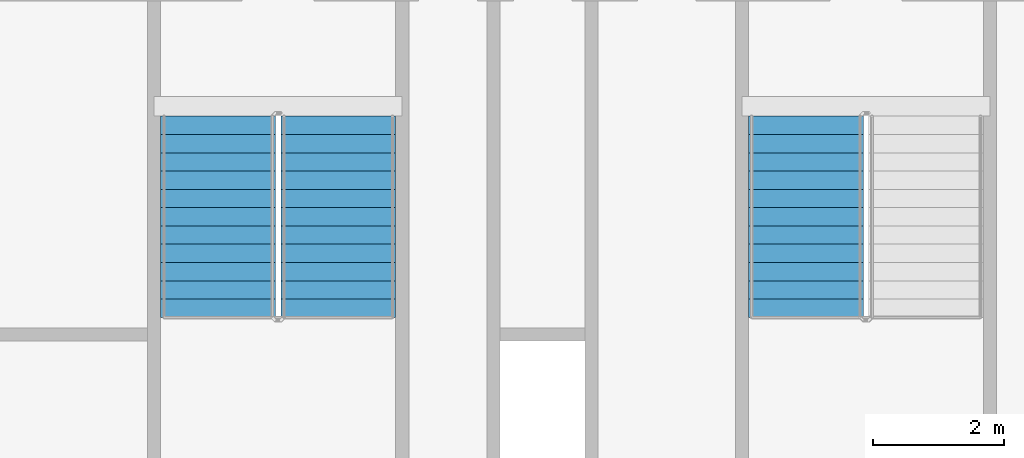
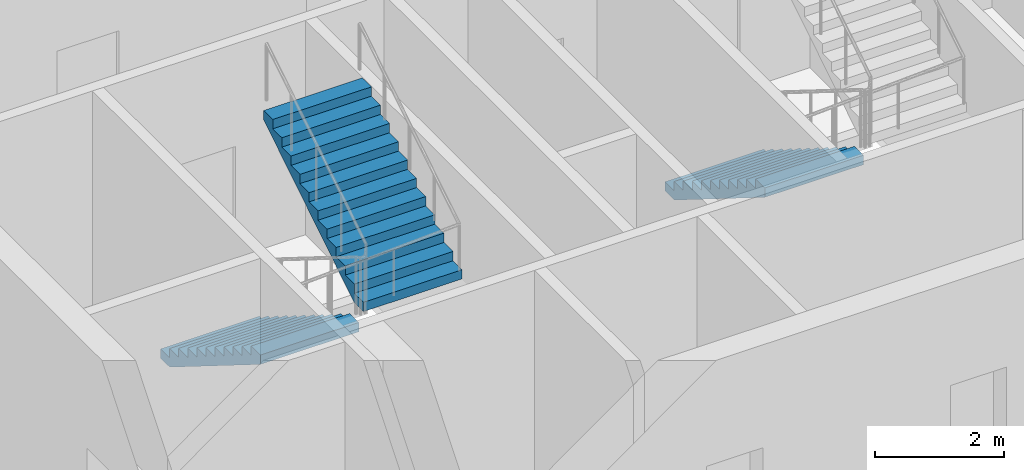
# One storey, part 21 of 28: 3 stair flights, 2 elements without a shape of their own.
"""IFC4 building model written with IfcOpenShell, lengths in metres."""

from ifc_helpers import new_model, si_unit, direction, frame, origin, place, context, subcontext, project, spatial, faceted_brep, material, type_object, element, aggregate, save


model = new_model("IFC4")

# Units and contexts
model_context = context("Model", 3, precision=1e-05, world=origin(), true_north=direction((0.0, 1.0)))
body_context = subcontext(model_context, "Body", "Model", "MODEL_VIEW")
ifc_project = project(units=[si_unit("LENGTHUNIT", "METRE"), si_unit("AREAUNIT", "SQUARE_METRE"), si_unit("VOLUMEUNIT", "CUBIC_METRE"), si_unit("PLANEANGLEUNIT", "RADIAN"), si_unit("MASSUNIT", "GRAM", prefix="KILO")], contexts=[model_context])

# Site, building, storey
site_placement = place(None, origin())
site = spatial("IfcSite", under=ifc_project, at=site_placement, CompositionType="ELEMENT")
building_placement = place(site_placement, origin())
building = spatial("IfcBuilding", under=site, at=building_placement, Name="Tarsis Ring Headquarters", CompositionType="ELEMENT")
storey_placement = place(building_placement, frame((0.0, 0.0, 365.0)))
storey = spatial("IfcBuildingStorey", under=building, at=storey_placement, Name="L86", CompositionType="ELEMENT", Elevation=365.0)

# Stair, stair flights
ifc_material_1 = material(Name="Core stair 1760")
stair_type = type_object("IfcStairType", Name="Core stair 1760", PredefinedType="HALF_TURN_STAIR", material=ifc_material_1)
stair_1_placement = place(storey_placement, origin())
stair_1 = element("IfcStair", 1, at=stair_1_placement, inside=storey, type_object=stair_type, Name="L86 Exit stair C", PredefinedType="HALF_TURN_STAIR")
ifc_material_2 = material(Name="Concrete C40/50", Category="concrete")
stair_flight_type = type_object("IfcStairFlightType", Name="Core stair flight 1760", PredefinedType="STRAIGHT", material=ifc_material_2)
stair_flight_1_placement = place(storey_placement, frame((-5.419921875, -3.659912109375, 0.0), z_axis=(0.0, 0.0, 1.0), x_axis=(0.0, -1.0, 0.0)))
stair_flight_1 = element("IfcStairFlight", 2, at=stair_flight_1_placement, type_object=stair_flight_type, Name="Stair ST3 flight 1", NumberOfRisers=12, NumberOfTreads=11, PredefinedType="STRAIGHT", RiserHeight=0.175, TreadLength=0.28, context=body_context, shape_type="Brep", body=[
    faceted_brep([(0.0, 0.8798828125, 0.0), (0.0, 0.8798828125, 0.175048828125), (0.280029296875, 0.8798828125, 0.175048828125), (0.280029296875, 0.8798828125, 0.35009765625), (0.56005859375, 0.8798828125, 0.35009765625), (0.56005859375, 0.8798828125, 0.52490234375), (0.840087890625, 0.8798828125, 0.52490234375), (0.840087890625, 0.8798828125, 0.699951171875), (1.1201171875, 0.8798828125, 0.699951171875), (1.1201171875, 0.8798828125, 0.875), (1.39990234375, 0.8798828125, 0.875), (1.39990234375, 0.8798828125, 1.050048828125), (1.679931640625, 0.8798828125, 1.050048828125), (1.679931640625, 0.8798828125, 1.22509765625), (1.9599609375, 0.8798828125, 1.22509765625), (1.9599609375, 0.8798828125, 1.39990234375), (2.239990234375, 0.8798828125, 1.39990234375), (2.239990234375, 0.8798828125, 1.574951171875), (2.52001953125, 0.8798828125, 1.574951171875), (2.52001953125, 0.8798828125, 1.75), (2.800048828125, 0.8798828125, 1.75), (2.800048828125, 0.8798828125, 1.925048828125), (3.080078125, 0.8798828125, 1.925048828125), (3.080078125, 0.8798828125, 1.748291015625), (0.28271484375, 0.8798828125, 0.0), (0.28271484375, -0.8798828125, 0.0), (3.080078125, -0.8798828125, 1.748291015625), (3.080078125, -0.8798828125, 1.925048828125), (2.800048828125, -0.8798828125, 1.925048828125), (2.800048828125, -0.8798828125, 1.75), (2.52001953125, -0.8798828125, 1.75), (2.52001953125, -0.8798828125, 1.574951171875), (2.239990234375, -0.8798828125, 1.574951171875), (2.239990234375, -0.8798828125, 1.39990234375), (1.9599609375, -0.8798828125, 1.39990234375), (1.9599609375, -0.8798828125, 1.22509765625), (1.679931640625, -0.8798828125, 1.22509765625), (1.679931640625, -0.8798828125, 1.050048828125), (1.39990234375, -0.8798828125, 1.050048828125), (1.39990234375, -0.8798828125, 0.875), (1.1201171875, -0.8798828125, 0.875), (1.1201171875, -0.8798828125, 0.699951171875), (0.840087890625, -0.8798828125, 0.699951171875), (0.840087890625, -0.8798828125, 0.52490234375), (0.56005859375, -0.8798828125, 0.52490234375), (0.56005859375, -0.8798828125, 0.35009765625), (0.280029296875, -0.8798828125, 0.35009765625), (0.280029296875, -0.8798828125, 0.175048828125), (0.0, -0.8798828125, 0.175048828125), (0.0, -0.8798828125, 0.0), (0.0, -0.43994140625, 0.175048828125), (0.0, -0.43994140625, 0.0), (0.0, 0.0, 0.175048828125), (0.0, 0.0, 0.0), (0.0, 0.43994140625, 0.175048828125), (0.0, 0.43994140625, 0.0), (0.280029296875, -0.43994140625, 0.175048828125), (0.280029296875, 0.0, 0.175048828125), (0.280029296875, 0.43994140625, 0.175048828125), (0.280029296875, -0.43994140625, 0.35009765625), (0.280029296875, 0.0, 0.35009765625), (0.280029296875, 0.43994140625, 0.35009765625), (0.56005859375, -0.43994140625, 0.35009765625), (0.56005859375, 0.0, 0.35009765625), (0.56005859375, 0.43994140625, 0.35009765625), (0.56005859375, -0.43994140625, 0.52490234375), (0.56005859375, 0.0, 0.52490234375), (0.56005859375, 0.43994140625, 0.52490234375), (0.840087890625, -0.43994140625, 0.52490234375), (0.840087890625, 0.0, 0.52490234375), (0.840087890625, 0.43994140625, 0.52490234375), (0.840087890625, -0.43994140625, 0.699951171875), (0.840087890625, 0.0, 0.699951171875), (0.840087890625, 0.43994140625, 0.699951171875), (1.1201171875, -0.43994140625, 0.699951171875), (1.1201171875, 0.0, 0.699951171875), (1.1201171875, 0.43994140625, 0.699951171875), (1.1201171875, -0.43994140625, 0.875), (1.1201171875, 0.0, 0.875), (1.1201171875, 0.43994140625, 0.875), (1.39990234375, -0.43994140625, 0.875), (1.39990234375, 0.0, 0.875), (1.39990234375, 0.43994140625, 0.875), (1.39990234375, -0.43994140625, 1.050048828125), (1.39990234375, 0.0, 1.050048828125), (1.39990234375, 0.43994140625, 1.050048828125), (1.679931640625, -0.43994140625, 1.050048828125), (1.679931640625, 0.0, 1.050048828125), (1.679931640625, 0.43994140625, 1.050048828125), (1.679931640625, -0.43994140625, 1.22509765625), (1.679931640625, 0.0, 1.22509765625), (1.679931640625, 0.43994140625, 1.22509765625), (1.9599609375, -0.43994140625, 1.22509765625), (1.9599609375, 0.0, 1.22509765625), (1.9599609375, 0.43994140625, 1.22509765625), (1.9599609375, -0.43994140625, 1.39990234375), (1.9599609375, 0.0, 1.39990234375), (1.9599609375, 0.43994140625, 1.39990234375), (2.239990234375, -0.43994140625, 1.39990234375), (2.239990234375, 0.0, 1.39990234375), (2.239990234375, 0.43994140625, 1.39990234375), (2.239990234375, -0.43994140625, 1.574951171875), (2.239990234375, 0.0, 1.574951171875), (2.239990234375, 0.43994140625, 1.574951171875), (2.52001953125, -0.43994140625, 1.574951171875), (2.52001953125, 0.0, 1.574951171875), (2.52001953125, 0.43994140625, 1.574951171875), (2.52001953125, -0.43994140625, 1.75), (2.52001953125, 0.0, 1.75), (2.52001953125, 0.43994140625, 1.75), (2.800048828125, -0.43994140625, 1.75), (2.800048828125, 0.0, 1.75), (2.800048828125, 0.43994140625, 1.75), (2.800048828125, -0.43994140625, 1.925048828125), (2.800048828125, 0.0, 1.925048828125), (2.800048828125, 0.43994140625, 1.925048828125), (3.080078125, -0.43994140625, 1.925048828125), (3.080078125, 0.0, 1.925048828125), (3.080078125, 0.43994140625, 1.925048828125), (3.080078125, -0.43994140625, 1.748291015625), (3.080078125, 0.0, 1.748291015625), (3.080078125, 0.43994140625, 1.748291015625), (0.28271484375, -0.43994140625, 0.0), (0.28271484375, 0.0, 0.0), (0.28271484375, 0.43994140625, 0.0)], [[[0, 1, 2, 3, 4, 5, 6, 7, 8, 9, 10, 11, 12, 13, 14, 15, 16, 17, 18, 19, 20, 21, 22, 23, 24]], [[25, 26, 27, 28, 29, 30, 31, 32, 33, 34, 35, 36, 37, 38, 39, 40, 41, 42, 43, 44, 45, 46, 47, 48, 49]], [[49, 48, 50, 51]], [[51, 50, 52, 53]], [[53, 52, 54, 55]], [[55, 54, 1, 0]], [[48, 47, 56, 50]], [[50, 56, 57, 52]], [[52, 57, 58, 54]], [[54, 58, 2, 1]], [[47, 46, 59, 56]], [[56, 59, 60, 57]], [[57, 60, 61, 58]], [[58, 61, 3, 2]], [[46, 45, 62, 59]], [[59, 62, 63, 60]], [[60, 63, 64, 61]], [[61, 64, 4, 3]], [[45, 44, 65, 62]], [[62, 65, 66, 63]], [[63, 66, 67, 64]], [[64, 67, 5, 4]], [[44, 43, 68, 65]], [[65, 68, 69, 66]], [[66, 69, 70, 67]], [[67, 70, 6, 5]], [[43, 42, 71, 68]], [[68, 71, 72, 69]], [[69, 72, 73, 70]], [[70, 73, 7, 6]], [[42, 41, 74, 71]], [[71, 74, 75, 72]], [[72, 75, 76, 73]], [[73, 76, 8, 7]], [[41, 40, 77, 74]], [[74, 77, 78, 75]], [[75, 78, 79, 76]], [[76, 79, 9, 8]], [[40, 39, 80, 77]], [[77, 80, 81, 78]], [[78, 81, 82, 79]], [[79, 82, 10, 9]], [[39, 38, 83, 80]], [[80, 83, 84, 81]], [[81, 84, 85, 82]], [[82, 85, 11, 10]], [[38, 37, 86, 83]], [[83, 86, 87, 84]], [[84, 87, 88, 85]], [[85, 88, 12, 11]], [[37, 36, 89, 86]], [[86, 89, 90, 87]], [[87, 90, 91, 88]], [[88, 91, 13, 12]], [[36, 35, 92, 89]], [[89, 92, 93, 90]], [[90, 93, 94, 91]], [[91, 94, 14, 13]], [[35, 34, 95, 92]], [[92, 95, 96, 93]], [[93, 96, 97, 94]], [[94, 97, 15, 14]], [[34, 33, 98, 95]], [[95, 98, 99, 96]], [[96, 99, 100, 97]], [[97, 100, 16, 15]], [[33, 32, 101, 98]], [[98, 101, 102, 99]], [[99, 102, 103, 100]], [[100, 103, 17, 16]], [[32, 31, 104, 101]], [[101, 104, 105, 102]], [[102, 105, 106, 103]], [[103, 106, 18, 17]], [[31, 30, 107, 104]], [[104, 107, 108, 105]], [[105, 108, 109, 106]], [[106, 109, 19, 18]], [[30, 29, 110, 107]], [[107, 110, 111, 108]], [[108, 111, 112, 109]], [[109, 112, 20, 19]], [[29, 28, 113, 110]], [[110, 113, 114, 111]], [[111, 114, 115, 112]], [[112, 115, 21, 20]], [[28, 27, 116, 113]], [[113, 116, 117, 114]], [[114, 117, 118, 115]], [[115, 118, 22, 21]], [[27, 26, 119, 116]], [[116, 119, 120, 117]], [[117, 120, 121, 118]], [[118, 121, 23, 22]], [[26, 25, 122, 119]], [[119, 122, 123, 120]], [[120, 123, 124, 121]], [[121, 124, 24, 23]], [[25, 49, 51, 122]], [[122, 51, 53, 123]], [[123, 53, 55, 124]], [[124, 55, 0, 24]]]),
])
stair_flight_2_placement = place(storey_placement, frame((-3.580078125, -6.739990234375, 2.10009765625), z_axis=(0.0, 0.0, 1.0), x_axis=(0.0, 1.0, 0.0)))
stair_flight_2 = element("IfcStairFlight", 3, at=stair_flight_2_placement, type_object=stair_flight_type, Name="Stair ST3 flight 2", NumberOfRisers=12, NumberOfTreads=11, PredefinedType="STRAIGHT", RiserHeight=0.175, TreadLength=0.28, context=body_context, shape_type="Brep", body=[
    faceted_brep([(0.0, 0.8798828125, 0.0), (0.0, 0.8798828125, 0.175048828125), (0.280029296875, 0.8798828125, 0.175048828125), (0.280029296875, 0.8798828125, 0.35009765625), (0.56005859375, 0.8798828125, 0.35009765625), (0.56005859375, 0.8798828125, 0.52490234375), (0.840087890625, 0.8798828125, 0.52490234375), (0.840087890625, 0.8798828125, 0.699951171875), (1.1201171875, 0.8798828125, 0.699951171875), (1.1201171875, 0.8798828125, 0.875), (1.39990234375, 0.8798828125, 0.875), (1.39990234375, 0.8798828125, 1.050048828125), (1.679931640625, 0.8798828125, 1.050048828125), (1.679931640625, 0.8798828125, 1.22509765625), (1.9599609375, 0.8798828125, 1.22509765625), (1.9599609375, 0.8798828125, 1.39990234375), (2.239990234375, 0.8798828125, 1.39990234375), (2.239990234375, 0.8798828125, 1.574951171875), (2.52001953125, 0.8798828125, 1.574951171875), (2.52001953125, 0.8798828125, 1.75), (2.800048828125, 0.8798828125, 1.75), (2.800048828125, 0.8798828125, 1.925048828125), (3.080078125, 0.8798828125, 1.925048828125), (3.080078125, 0.8798828125, 1.748291015625), (0.28271484375, 0.8798828125, 0.0), (0.28271484375, -0.8798828125, 0.0), (3.080078125, -0.8798828125, 1.748291015625), (3.080078125, -0.8798828125, 1.925048828125), (2.800048828125, -0.8798828125, 1.925048828125), (2.800048828125, -0.8798828125, 1.75), (2.52001953125, -0.8798828125, 1.75), (2.52001953125, -0.8798828125, 1.574951171875), (2.239990234375, -0.8798828125, 1.574951171875), (2.239990234375, -0.8798828125, 1.39990234375), (1.9599609375, -0.8798828125, 1.39990234375), (1.9599609375, -0.8798828125, 1.22509765625), (1.679931640625, -0.8798828125, 1.22509765625), (1.679931640625, -0.8798828125, 1.050048828125), (1.39990234375, -0.8798828125, 1.050048828125), (1.39990234375, -0.8798828125, 0.875), (1.1201171875, -0.8798828125, 0.875), (1.1201171875, -0.8798828125, 0.699951171875), (0.840087890625, -0.8798828125, 0.699951171875), (0.840087890625, -0.8798828125, 0.52490234375), (0.56005859375, -0.8798828125, 0.52490234375), (0.56005859375, -0.8798828125, 0.35009765625), (0.280029296875, -0.8798828125, 0.35009765625), (0.280029296875, -0.8798828125, 0.175048828125), (0.0, -0.8798828125, 0.175048828125), (0.0, -0.8798828125, 0.0), (0.0, -0.43994140625, 0.175048828125), (0.0, -0.43994140625, 0.0), (0.0, 0.0, 0.175048828125), (0.0, 0.0, 0.0), (0.0, 0.43994140625, 0.175048828125), (0.0, 0.43994140625, 0.0), (0.280029296875, -0.43994140625, 0.175048828125), (0.280029296875, 0.0, 0.175048828125), (0.280029296875, 0.43994140625, 0.175048828125), (0.280029296875, -0.43994140625, 0.35009765625), (0.280029296875, 0.0, 0.35009765625), (0.280029296875, 0.43994140625, 0.35009765625), (0.56005859375, -0.43994140625, 0.35009765625), (0.56005859375, 0.0, 0.35009765625), (0.56005859375, 0.43994140625, 0.35009765625), (0.56005859375, -0.43994140625, 0.52490234375), (0.56005859375, 0.0, 0.52490234375), (0.56005859375, 0.43994140625, 0.52490234375), (0.840087890625, -0.43994140625, 0.52490234375), (0.840087890625, 0.0, 0.52490234375), (0.840087890625, 0.43994140625, 0.52490234375), (0.840087890625, -0.43994140625, 0.699951171875), (0.840087890625, 0.0, 0.699951171875), (0.840087890625, 0.43994140625, 0.699951171875), (1.1201171875, -0.43994140625, 0.699951171875), (1.1201171875, 0.0, 0.699951171875), (1.1201171875, 0.43994140625, 0.699951171875), (1.1201171875, -0.43994140625, 0.875), (1.1201171875, 0.0, 0.875), (1.1201171875, 0.43994140625, 0.875), (1.39990234375, -0.43994140625, 0.875), (1.39990234375, 0.0, 0.875), (1.39990234375, 0.43994140625, 0.875), (1.39990234375, -0.43994140625, 1.050048828125), (1.39990234375, 0.0, 1.050048828125), (1.39990234375, 0.43994140625, 1.050048828125), (1.679931640625, -0.43994140625, 1.050048828125), (1.679931640625, 0.0, 1.050048828125), (1.679931640625, 0.43994140625, 1.050048828125), (1.679931640625, -0.43994140625, 1.22509765625), (1.679931640625, 0.0, 1.22509765625), (1.679931640625, 0.43994140625, 1.22509765625), (1.9599609375, -0.43994140625, 1.22509765625), (1.9599609375, 0.0, 1.22509765625), (1.9599609375, 0.43994140625, 1.22509765625), (1.9599609375, -0.43994140625, 1.39990234375), (1.9599609375, 0.0, 1.39990234375), (1.9599609375, 0.43994140625, 1.39990234375), (2.239990234375, -0.43994140625, 1.39990234375), (2.239990234375, 0.0, 1.39990234375), (2.239990234375, 0.43994140625, 1.39990234375), (2.239990234375, -0.43994140625, 1.574951171875), (2.239990234375, 0.0, 1.574951171875), (2.239990234375, 0.43994140625, 1.574951171875), (2.52001953125, -0.43994140625, 1.574951171875), (2.52001953125, 0.0, 1.574951171875), (2.52001953125, 0.43994140625, 1.574951171875), (2.52001953125, -0.43994140625, 1.75), (2.52001953125, 0.0, 1.75), (2.52001953125, 0.43994140625, 1.75), (2.800048828125, -0.43994140625, 1.75), (2.800048828125, 0.0, 1.75), (2.800048828125, 0.43994140625, 1.75), (2.800048828125, -0.43994140625, 1.925048828125), (2.800048828125, 0.0, 1.925048828125), (2.800048828125, 0.43994140625, 1.925048828125), (3.080078125, -0.43994140625, 1.925048828125), (3.080078125, 0.0, 1.925048828125), (3.080078125, 0.43994140625, 1.925048828125), (3.080078125, -0.43994140625, 1.748291015625), (3.080078125, 0.0, 1.748291015625), (3.080078125, 0.43994140625, 1.748291015625), (0.28271484375, -0.43994140625, 0.0), (0.28271484375, 0.0, 0.0), (0.28271484375, 0.43994140625, 0.0)], [[[0, 1, 2, 3, 4, 5, 6, 7, 8, 9, 10, 11, 12, 13, 14, 15, 16, 17, 18, 19, 20, 21, 22, 23, 24]], [[25, 26, 27, 28, 29, 30, 31, 32, 33, 34, 35, 36, 37, 38, 39, 40, 41, 42, 43, 44, 45, 46, 47, 48, 49]], [[49, 48, 50, 51]], [[51, 50, 52, 53]], [[53, 52, 54, 55]], [[55, 54, 1, 0]], [[48, 47, 56, 50]], [[50, 56, 57, 52]], [[52, 57, 58, 54]], [[54, 58, 2, 1]], [[47, 46, 59, 56]], [[56, 59, 60, 57]], [[57, 60, 61, 58]], [[58, 61, 3, 2]], [[46, 45, 62, 59]], [[59, 62, 63, 60]], [[60, 63, 64, 61]], [[61, 64, 4, 3]], [[45, 44, 65, 62]], [[62, 65, 66, 63]], [[63, 66, 67, 64]], [[64, 67, 5, 4]], [[44, 43, 68, 65]], [[65, 68, 69, 66]], [[66, 69, 70, 67]], [[67, 70, 6, 5]], [[43, 42, 71, 68]], [[68, 71, 72, 69]], [[69, 72, 73, 70]], [[70, 73, 7, 6]], [[42, 41, 74, 71]], [[71, 74, 75, 72]], [[72, 75, 76, 73]], [[73, 76, 8, 7]], [[41, 40, 77, 74]], [[74, 77, 78, 75]], [[75, 78, 79, 76]], [[76, 79, 9, 8]], [[40, 39, 80, 77]], [[77, 80, 81, 78]], [[78, 81, 82, 79]], [[79, 82, 10, 9]], [[39, 38, 83, 80]], [[80, 83, 84, 81]], [[81, 84, 85, 82]], [[82, 85, 11, 10]], [[38, 37, 86, 83]], [[83, 86, 87, 84]], [[84, 87, 88, 85]], [[85, 88, 12, 11]], [[37, 36, 89, 86]], [[86, 89, 90, 87]], [[87, 90, 91, 88]], [[88, 91, 13, 12]], [[36, 35, 92, 89]], [[89, 92, 93, 90]], [[90, 93, 94, 91]], [[91, 94, 14, 13]], [[35, 34, 95, 92]], [[92, 95, 96, 93]], [[93, 96, 97, 94]], [[94, 97, 15, 14]], [[34, 33, 98, 95]], [[95, 98, 99, 96]], [[96, 99, 100, 97]], [[97, 100, 16, 15]], [[33, 32, 101, 98]], [[98, 101, 102, 99]], [[99, 102, 103, 100]], [[100, 103, 17, 16]], [[32, 31, 104, 101]], [[101, 104, 105, 102]], [[102, 105, 106, 103]], [[103, 106, 18, 17]], [[31, 30, 107, 104]], [[104, 107, 108, 105]], [[105, 108, 109, 106]], [[106, 109, 19, 18]], [[30, 29, 110, 107]], [[107, 110, 111, 108]], [[108, 111, 112, 109]], [[109, 112, 20, 19]], [[29, 28, 113, 110]], [[110, 113, 114, 111]], [[111, 114, 115, 112]], [[112, 115, 21, 20]], [[28, 27, 116, 113]], [[113, 116, 117, 114]], [[114, 117, 118, 115]], [[115, 118, 22, 21]], [[27, 26, 119, 116]], [[116, 119, 120, 117]], [[117, 120, 121, 118]], [[118, 121, 23, 22]], [[26, 25, 122, 119]], [[119, 122, 123, 120]], [[120, 123, 124, 121]], [[121, 124, 24, 23]], [[25, 49, 51, 122]], [[122, 51, 53, 123]], [[123, 53, 55, 124]], [[124, 55, 0, 24]]]),
])
aggregate(stair_1, [stair_flight_1, stair_flight_2])

# Stair, stair flight
stair_2_placement = place(storey_placement, origin())
stair_2 = element("IfcStair", 4, at=stair_2_placement, inside=storey, type_object=stair_type, Name="L86 Exit stair D", PredefinedType="HALF_TURN_STAIR")
stair_flight_3_placement = place(storey_placement, frame((3.580078125, -3.659912109375, 0.0), z_axis=(0.0, 0.0, 1.0), x_axis=(0.0, -1.0, 0.0)))
stair_flight_3 = element("IfcStairFlight", 5, at=stair_flight_3_placement, type_object=stair_flight_type, Name="Stair ST4 flight 1", NumberOfRisers=12, NumberOfTreads=11, PredefinedType="STRAIGHT", RiserHeight=0.175, TreadLength=0.28, context=body_context, shape_type="Brep", body=[
    faceted_brep([(0.0, 0.8798828125, 0.0), (0.0, 0.8798828125, 0.175048828125), (0.280029296875, 0.8798828125, 0.175048828125), (0.280029296875, 0.8798828125, 0.35009765625), (0.56005859375, 0.8798828125, 0.35009765625), (0.56005859375, 0.8798828125, 0.52490234375), (0.840087890625, 0.8798828125, 0.52490234375), (0.840087890625, 0.8798828125, 0.699951171875), (1.1201171875, 0.8798828125, 0.699951171875), (1.1201171875, 0.8798828125, 0.875), (1.39990234375, 0.8798828125, 0.875), (1.39990234375, 0.8798828125, 1.050048828125), (1.679931640625, 0.8798828125, 1.050048828125), (1.679931640625, 0.8798828125, 1.22509765625), (1.9599609375, 0.8798828125, 1.22509765625), (1.9599609375, 0.8798828125, 1.39990234375), (2.239990234375, 0.8798828125, 1.39990234375), (2.239990234375, 0.8798828125, 1.574951171875), (2.52001953125, 0.8798828125, 1.574951171875), (2.52001953125, 0.8798828125, 1.75), (2.800048828125, 0.8798828125, 1.75), (2.800048828125, 0.8798828125, 1.925048828125), (3.080078125, 0.8798828125, 1.925048828125), (3.080078125, 0.8798828125, 1.748291015625), (0.28271484375, 0.8798828125, 0.0), (0.28271484375, -0.8798828125, 0.0), (3.080078125, -0.8798828125, 1.748291015625), (3.080078125, -0.8798828125, 1.925048828125), (2.800048828125, -0.8798828125, 1.925048828125), (2.800048828125, -0.8798828125, 1.75), (2.52001953125, -0.8798828125, 1.75), (2.52001953125, -0.8798828125, 1.574951171875), (2.239990234375, -0.8798828125, 1.574951171875), (2.239990234375, -0.8798828125, 1.39990234375), (1.9599609375, -0.8798828125, 1.39990234375), (1.9599609375, -0.8798828125, 1.22509765625), (1.679931640625, -0.8798828125, 1.22509765625), (1.679931640625, -0.8798828125, 1.050048828125), (1.39990234375, -0.8798828125, 1.050048828125), (1.39990234375, -0.8798828125, 0.875), (1.1201171875, -0.8798828125, 0.875), (1.1201171875, -0.8798828125, 0.699951171875), (0.840087890625, -0.8798828125, 0.699951171875), (0.840087890625, -0.8798828125, 0.52490234375), (0.56005859375, -0.8798828125, 0.52490234375), (0.56005859375, -0.8798828125, 0.35009765625), (0.280029296875, -0.8798828125, 0.35009765625), (0.280029296875, -0.8798828125, 0.175048828125), (0.0, -0.8798828125, 0.175048828125), (0.0, -0.8798828125, 0.0), (0.0, -0.43994140625, 0.175048828125), (0.0, -0.43994140625, 0.0), (0.0, 0.0, 0.175048828125), (0.0, 0.0, 0.0), (0.0, 0.43994140625, 0.175048828125), (0.0, 0.43994140625, 0.0), (0.280029296875, -0.43994140625, 0.175048828125), (0.280029296875, 0.0, 0.175048828125), (0.280029296875, 0.43994140625, 0.175048828125), (0.280029296875, -0.43994140625, 0.35009765625), (0.280029296875, 0.0, 0.35009765625), (0.280029296875, 0.43994140625, 0.35009765625), (0.56005859375, -0.43994140625, 0.35009765625), (0.56005859375, 0.0, 0.35009765625), (0.56005859375, 0.43994140625, 0.35009765625), (0.56005859375, -0.43994140625, 0.52490234375), (0.56005859375, 0.0, 0.52490234375), (0.56005859375, 0.43994140625, 0.52490234375), (0.840087890625, -0.43994140625, 0.52490234375), (0.840087890625, 0.0, 0.52490234375), (0.840087890625, 0.43994140625, 0.52490234375), (0.840087890625, -0.43994140625, 0.699951171875), (0.840087890625, 0.0, 0.699951171875), (0.840087890625, 0.43994140625, 0.699951171875), (1.1201171875, -0.43994140625, 0.699951171875), (1.1201171875, 0.0, 0.699951171875), (1.1201171875, 0.43994140625, 0.699951171875), (1.1201171875, -0.43994140625, 0.875), (1.1201171875, 0.0, 0.875), (1.1201171875, 0.43994140625, 0.875), (1.39990234375, -0.43994140625, 0.875), (1.39990234375, 0.0, 0.875), (1.39990234375, 0.43994140625, 0.875), (1.39990234375, -0.43994140625, 1.050048828125), (1.39990234375, 0.0, 1.050048828125), (1.39990234375, 0.43994140625, 1.050048828125), (1.679931640625, -0.43994140625, 1.050048828125), (1.679931640625, 0.0, 1.050048828125), (1.679931640625, 0.43994140625, 1.050048828125), (1.679931640625, -0.43994140625, 1.22509765625), (1.679931640625, 0.0, 1.22509765625), (1.679931640625, 0.43994140625, 1.22509765625), (1.9599609375, -0.43994140625, 1.22509765625), (1.9599609375, 0.0, 1.22509765625), (1.9599609375, 0.43994140625, 1.22509765625), (1.9599609375, -0.43994140625, 1.39990234375), (1.9599609375, 0.0, 1.39990234375), (1.9599609375, 0.43994140625, 1.39990234375), (2.239990234375, -0.43994140625, 1.39990234375), (2.239990234375, 0.0, 1.39990234375), (2.239990234375, 0.43994140625, 1.39990234375), (2.239990234375, -0.43994140625, 1.574951171875), (2.239990234375, 0.0, 1.574951171875), (2.239990234375, 0.43994140625, 1.574951171875), (2.52001953125, -0.43994140625, 1.574951171875), (2.52001953125, 0.0, 1.574951171875), (2.52001953125, 0.43994140625, 1.574951171875), (2.52001953125, -0.43994140625, 1.75), (2.52001953125, 0.0, 1.75), (2.52001953125, 0.43994140625, 1.75), (2.800048828125, -0.43994140625, 1.75), (2.800048828125, 0.0, 1.75), (2.800048828125, 0.43994140625, 1.75), (2.800048828125, -0.43994140625, 1.925048828125), (2.800048828125, 0.0, 1.925048828125), (2.800048828125, 0.43994140625, 1.925048828125), (3.080078125, -0.43994140625, 1.925048828125), (3.080078125, 0.0, 1.925048828125), (3.080078125, 0.43994140625, 1.925048828125), (3.080078125, -0.43994140625, 1.748291015625), (3.080078125, 0.0, 1.748291015625), (3.080078125, 0.43994140625, 1.748291015625), (0.28271484375, -0.43994140625, 0.0), (0.28271484375, 0.0, 0.0), (0.28271484375, 0.43994140625, 0.0)], [[[0, 1, 2, 3, 4, 5, 6, 7, 8, 9, 10, 11, 12, 13, 14, 15, 16, 17, 18, 19, 20, 21, 22, 23, 24]], [[25, 26, 27, 28, 29, 30, 31, 32, 33, 34, 35, 36, 37, 38, 39, 40, 41, 42, 43, 44, 45, 46, 47, 48, 49]], [[49, 48, 50, 51]], [[51, 50, 52, 53]], [[53, 52, 54, 55]], [[55, 54, 1, 0]], [[48, 47, 56, 50]], [[50, 56, 57, 52]], [[52, 57, 58, 54]], [[54, 58, 2, 1]], [[47, 46, 59, 56]], [[56, 59, 60, 57]], [[57, 60, 61, 58]], [[58, 61, 3, 2]], [[46, 45, 62, 59]], [[59, 62, 63, 60]], [[60, 63, 64, 61]], [[61, 64, 4, 3]], [[45, 44, 65, 62]], [[62, 65, 66, 63]], [[63, 66, 67, 64]], [[64, 67, 5, 4]], [[44, 43, 68, 65]], [[65, 68, 69, 66]], [[66, 69, 70, 67]], [[67, 70, 6, 5]], [[43, 42, 71, 68]], [[68, 71, 72, 69]], [[69, 72, 73, 70]], [[70, 73, 7, 6]], [[42, 41, 74, 71]], [[71, 74, 75, 72]], [[72, 75, 76, 73]], [[73, 76, 8, 7]], [[41, 40, 77, 74]], [[74, 77, 78, 75]], [[75, 78, 79, 76]], [[76, 79, 9, 8]], [[40, 39, 80, 77]], [[77, 80, 81, 78]], [[78, 81, 82, 79]], [[79, 82, 10, 9]], [[39, 38, 83, 80]], [[80, 83, 84, 81]], [[81, 84, 85, 82]], [[82, 85, 11, 10]], [[38, 37, 86, 83]], [[83, 86, 87, 84]], [[84, 87, 88, 85]], [[85, 88, 12, 11]], [[37, 36, 89, 86]], [[86, 89, 90, 87]], [[87, 90, 91, 88]], [[88, 91, 13, 12]], [[36, 35, 92, 89]], [[89, 92, 93, 90]], [[90, 93, 94, 91]], [[91, 94, 14, 13]], [[35, 34, 95, 92]], [[92, 95, 96, 93]], [[93, 96, 97, 94]], [[94, 97, 15, 14]], [[34, 33, 98, 95]], [[95, 98, 99, 96]], [[96, 99, 100, 97]], [[97, 100, 16, 15]], [[33, 32, 101, 98]], [[98, 101, 102, 99]], [[99, 102, 103, 100]], [[100, 103, 17, 16]], [[32, 31, 104, 101]], [[101, 104, 105, 102]], [[102, 105, 106, 103]], [[103, 106, 18, 17]], [[31, 30, 107, 104]], [[104, 107, 108, 105]], [[105, 108, 109, 106]], [[106, 109, 19, 18]], [[30, 29, 110, 107]], [[107, 110, 111, 108]], [[108, 111, 112, 109]], [[109, 112, 20, 19]], [[29, 28, 113, 110]], [[110, 113, 114, 111]], [[111, 114, 115, 112]], [[112, 115, 21, 20]], [[28, 27, 116, 113]], [[113, 116, 117, 114]], [[114, 117, 118, 115]], [[115, 118, 22, 21]], [[27, 26, 119, 116]], [[116, 119, 120, 117]], [[117, 120, 121, 118]], [[118, 121, 23, 22]], [[26, 25, 122, 119]], [[119, 122, 123, 120]], [[120, 123, 124, 121]], [[121, 124, 24, 23]], [[25, 49, 51, 122]], [[122, 51, 53, 123]], [[123, 53, 55, 124]], [[124, 55, 0, 24]]]),
])
aggregate(stair_2, [stair_flight_3])

save(model, "model.ifc")
